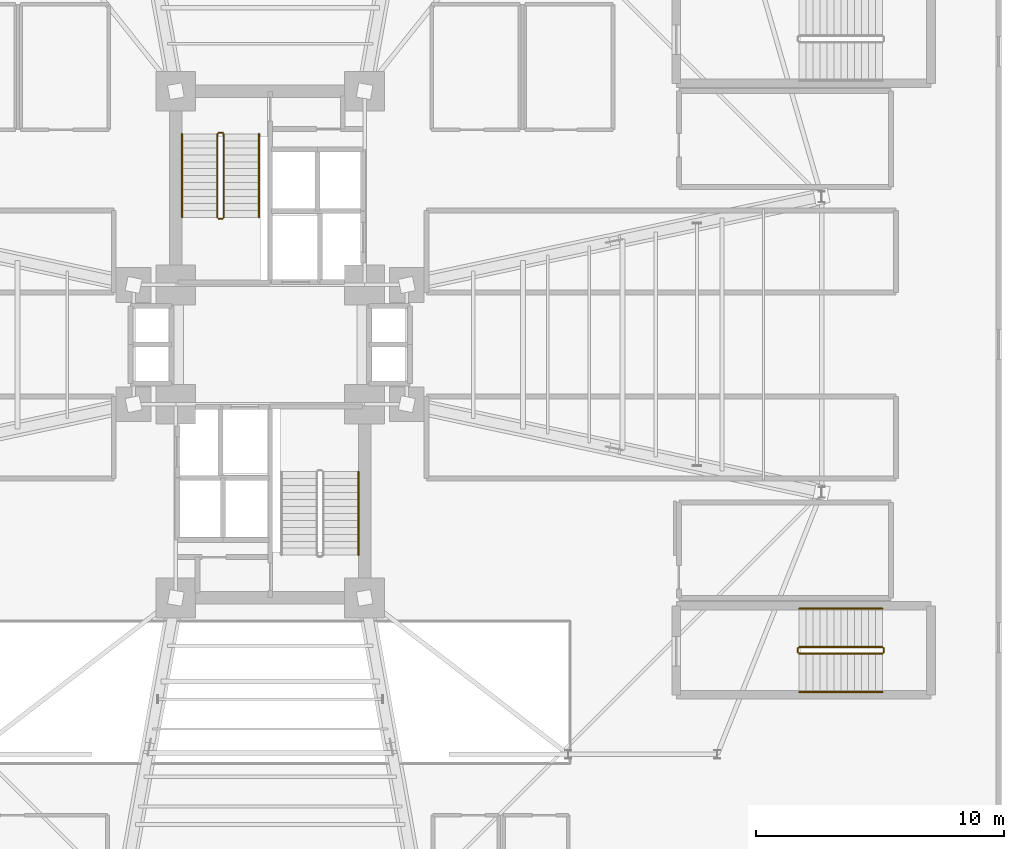
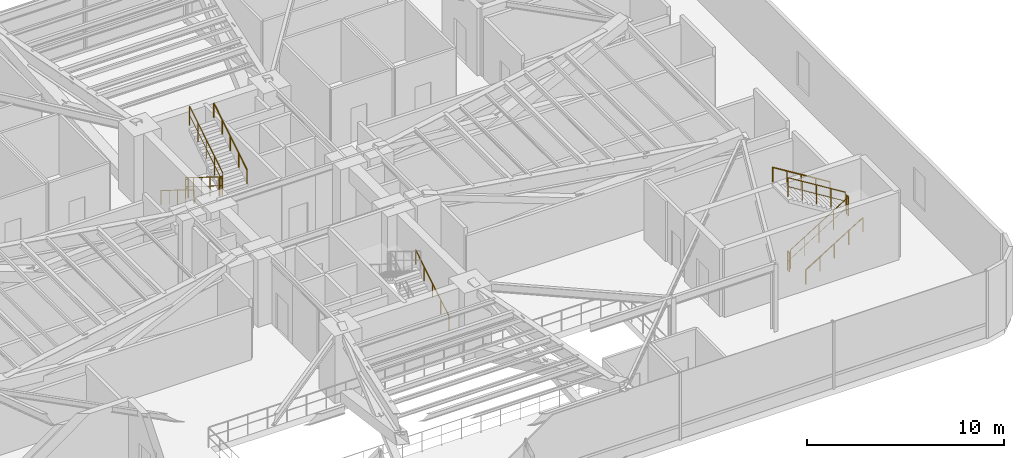
# One storey, part 30 of 32: 13 railings.
"""IFC4 building model written with IfcOpenShell, lengths in metres."""

from ifc_helpers import new_model, si_unit, direction, frame, origin, origin_2d, place, context, subcontext, project, spatial, circle, extrude, material, type_object, element, save


model = new_model("IFC4")

# Units and contexts
model_context = context("Model", 3, precision=1e-05, world=origin(), true_north=direction((0.0, 1.0)))
body_context = subcontext(model_context, "Body", "Model", "MODEL_VIEW")
ifc_project = project(units=[si_unit("LENGTHUNIT", "METRE"), si_unit("AREAUNIT", "SQUARE_METRE"), si_unit("VOLUMEUNIT", "CUBIC_METRE"), si_unit("PLANEANGLEUNIT", "RADIAN"), si_unit("MASSUNIT", "GRAM", prefix="KILO")], contexts=[model_context])

# Site, building, storey
site_placement = place(None, origin())
site = spatial("IfcSite", under=ifc_project, at=site_placement, CompositionType="ELEMENT")
building_placement = place(site_placement, origin())
building = spatial("IfcBuilding", under=site, at=building_placement, Name="Sahyath Konkavel Grand Hotel", CompositionType="ELEMENT")
storey_placement = place(building_placement, frame((0.0, 0.0, 14.10009765625)))
storey = spatial("IfcBuildingStorey", under=building, at=storey_placement, Name="L03", CompositionType="ELEMENT", Elevation=14.10009765625)

# Railings
ifc_material_1 = material(Name="Steel E350", Category="steel")
railing_type_1 = type_object("IfcRailingType", Name="RLG-STAIR-GRD", PredefinedType="GUARDRAIL", material=ifc_material_1)
railing_1_placement = place(storey_placement, frame((-2.1298828125, 8.47998046875, 0.173095703125)))
element("IfcRailing", 1, at=railing_1_placement, inside=storey, type_object=railing_type_1, Name="L03 ST-1 stair guard 1", PredefinedType="GUARDRAIL", context=body_context, shape_type="SweptSolid", body=[
    extrude(circle(Radius=0.02392578125, at=origin_2d()), frame((0.0, -0.001708984375, 1.177001953125), z_axis=(0.0, -0.850606129759, 0.525803396734), x_axis=(1.0, 0.0, 0.0)), (0.0, 0.0, 1.0), 3.946044921875),
    extrude(circle(Radius=0.01416015625, at=origin_2d()), frame((0.0, -0.001708984375, 0.625), z_axis=(0.0, -0.850606129759, 0.525803396734), x_axis=(1.0, 0.0, 0.0)), (0.0, 0.0, 1.0), 3.946044921875),
    extrude(circle(Radius=0.02099609375, at=origin_2d()), origin(), (0.0, 0.0, 1.0), 1.15185546875),
    extrude(circle(Radius=0.02099609375, at=origin_2d()), frame((0.0, -0.83984375, 0.519287109375)), (0.0, 0.0, 1.0), 1.15185546875),
    extrude(circle(Radius=0.02099609375, at=origin_2d()), frame((0.0, -1.679931640625, 1.03857421875)), (0.0, 0.0, 1.0), 1.15185546875),
    extrude(circle(Radius=0.02099609375, at=origin_2d()), frame((0.0, -2.52001953125, 1.5576171875)), (0.0, 0.0, 1.0), 1.15185546875),
    extrude(circle(Radius=0.02099609375, at=origin_2d()), frame((0.0, -3.35986328125, 2.076904296875)), (0.0, 0.0, 1.0), 1.15185546875),
])
railing_2_placement = place(storey_placement, frame((-2.080078125, 5.070068359375, 2.25)))
element("IfcRailing", 2, at=railing_2_placement, inside=storey, type_object=railing_type_1, Name="L03 ST-1 stair guard 2", PredefinedType="GUARDRAIL", context=body_context, shape_type="SweptSolid", body=[
    extrude(circle(Radius=0.02392578125, at=origin_2d()), frame((0.001953125, 0.0, 1.17578125), z_axis=(1.0, 0.0, 0.0), x_axis=(0.0, 1.0, 0.0)), (0.0, 0.0, 1.0), 0.15625),
    extrude(circle(Radius=0.01416015625, at=origin_2d()), frame((0.001953125, 0.0, 0.6240234375), z_axis=(1.0, 0.0, 0.0), x_axis=(0.0, 1.0, 0.0)), (0.0, 0.0, 1.0), 0.15625),
    extrude(circle(Radius=0.02099609375, at=origin_2d()), origin(), (0.0, 0.0, 1.0), 1.15185546875),
    extrude(circle(Radius=0.02099609375, at=origin_2d()), frame((0.16015625, 0.0, 0.0)), (0.0, 0.0, 1.0), 1.15185546875),
])
railing_3_placement = place(storey_placement, frame((-1.8701171875, 5.1201171875, 2.423095703125)))
element("IfcRailing", 3, at=railing_3_placement, inside=storey, type_object=railing_type_1, Name="L03 ST-1 stair guard 3", PredefinedType="GUARDRAIL", context=body_context, shape_type="SweptSolid", body=[
    extrude(circle(Radius=0.02392578125, at=origin_2d()), frame((0.0, 0.001708984375, 1.177001953125), z_axis=(0.0, 0.850606129759, 0.525803396734), x_axis=(-1.0, 0.0, 0.0)), (0.0, 0.0, 1.0), 3.946044921875),
    extrude(circle(Radius=0.01416015625, at=origin_2d()), frame((0.0, 0.001708984375, 0.625), z_axis=(0.0, 0.850606129759, 0.525803396734), x_axis=(-1.0, 0.0, 0.0)), (0.0, 0.0, 1.0), 3.946044921875),
    extrude(circle(Radius=0.02099609375, at=origin_2d()), origin(), (0.0, 0.0, 1.0), 1.15185546875),
    extrude(circle(Radius=0.02099609375, at=origin_2d()), frame((0.0, 0.83984375, 0.519287109375)), (0.0, 0.0, 1.0), 1.15185546875),
    extrude(circle(Radius=0.02099609375, at=origin_2d()), frame((0.0, 1.679931640625, 1.03857421875)), (0.0, 0.0, 1.0), 1.15185546875),
    extrude(circle(Radius=0.02099609375, at=origin_2d()), frame((0.0, 2.52001953125, 1.5576171875)), (0.0, 0.0, 1.0), 1.15185546875),
    extrude(circle(Radius=0.02099609375, at=origin_2d()), frame((0.0, 3.35986328125, 2.076904296875)), (0.0, 0.0, 1.0), 1.15185546875),
])
railing_4_placement = place(storey_placement, frame((-2.080078125, 8.530029296875, 0.0)))
element("IfcRailing", 4, at=railing_4_placement, inside=storey, type_object=railing_type_1, Name="L03 ST-1 stair guard 4", PredefinedType="GUARDRAIL", context=body_context, shape_type="SweptSolid", body=[
    extrude(circle(Radius=0.02392578125, at=origin_2d()), frame((0.001953125, 0.0, 1.17578125), z_axis=(1.0, 0.0, 0.0), x_axis=(0.0, 1.0, 0.0)), (0.0, 0.0, 1.0), 0.15625),
    extrude(circle(Radius=0.01416015625, at=origin_2d()), frame((0.001953125, 0.0, 0.6240234375), z_axis=(1.0, 0.0, 0.0), x_axis=(0.0, 1.0, 0.0)), (0.0, 0.0, 1.0), 0.15625),
    extrude(circle(Radius=0.02099609375, at=origin_2d()), origin(), (0.0, 0.0, 1.0), 1.15185546875),
    extrude(circle(Radius=0.02099609375, at=origin_2d()), frame((0.16015625, 0.0, 0.0)), (0.0, 0.0, 1.0), 1.15185546875),
])
railing_5_placement = place(storey_placement, frame((21.2900390625, -12.43994140625, 0.173095703125)))
element("IfcRailing", 5, at=railing_5_placement, inside=storey, type_object=railing_type_1, Name="L03 ST-P4 stair guard 1", PredefinedType="GUARDRAIL", context=body_context, shape_type="SweptSolid", body=[
    extrude(circle(Radius=0.02392578125, at=origin_2d()), frame((0.001708984375, 0.0, 1.177001953125), z_axis=(0.850606129759, 0.0, 0.525803396734), x_axis=(0.0, 1.0, 0.0)), (0.0, 0.0, 1.0), 3.946044921875),
    extrude(circle(Radius=0.01416015625, at=origin_2d()), frame((0.001708984375, 0.0, 0.625), z_axis=(0.850606129759, 0.0, 0.525803396734), x_axis=(0.0, 1.0, 0.0)), (0.0, 0.0, 1.0), 3.946044921875),
    extrude(circle(Radius=0.02099609375, at=origin_2d()), origin(), (0.0, 0.0, 1.0), 1.15185546875),
    extrude(circle(Radius=0.02099609375, at=origin_2d()), frame((0.83984375, 0.0, 0.519287109375)), (0.0, 0.0, 1.0), 1.15185546875),
    extrude(circle(Radius=0.02099609375, at=origin_2d()), frame((1.679931640625, 0.0, 1.03857421875)), (0.0, 0.0, 1.0), 1.15185546875),
    extrude(circle(Radius=0.02099609375, at=origin_2d()), frame((2.52001953125, 0.0, 1.5576171875)), (0.0, 0.0, 1.0), 1.15185546875),
    extrude(circle(Radius=0.02099609375, at=origin_2d()), frame((3.35986328125, 0.0, 2.076904296875)), (0.0, 0.0, 1.0), 1.15185546875),
])
railing_6_placement = place(storey_placement, frame((24.699951171875, -12.389892578125, 2.25)))
element("IfcRailing", 6, at=railing_6_placement, inside=storey, type_object=railing_type_1, Name="L03 ST-P4 stair guard 2", PredefinedType="GUARDRAIL", context=body_context, shape_type="SweptSolid", body=[
    extrude(circle(Radius=0.02392578125, at=origin_2d()), frame((0.0, 0.001953125, 1.17578125), z_axis=(0.0, 1.0, 0.0), x_axis=(-1.0, 0.0, 0.0)), (0.0, 0.0, 1.0), 0.156005859375),
    extrude(circle(Radius=0.01416015625, at=origin_2d()), frame((0.0, 0.001953125, 0.6240234375), z_axis=(0.0, 1.0, 0.0), x_axis=(-1.0, 0.0, 0.0)), (0.0, 0.0, 1.0), 0.156005859375),
    extrude(circle(Radius=0.02099609375, at=origin_2d()), origin(), (0.0, 0.0, 1.0), 1.15185546875),
    extrude(circle(Radius=0.02099609375, at=origin_2d()), frame((0.0, 0.159912109375, 0.0)), (0.0, 0.0, 1.0), 1.15185546875),
])
railing_7_placement = place(storey_placement, frame((24.64990234375, -12.179931640625, 2.423095703125)))
element("IfcRailing", 7, at=railing_7_placement, inside=storey, type_object=railing_type_1, Name="L03 ST-P4 stair guard 3", PredefinedType="GUARDRAIL", context=body_context, shape_type="SweptSolid", body=[
    extrude(circle(Radius=0.02392578125, at=origin_2d()), frame((-0.001708984375, 0.0, 1.177001953125), z_axis=(-0.850606129759, 0.0, 0.525803396734), x_axis=(0.0, -1.0, 0.0)), (0.0, 0.0, 1.0), 3.946044921875),
    extrude(circle(Radius=0.01416015625, at=origin_2d()), frame((-0.001708984375, 0.0, 0.625), z_axis=(-0.850606129759, 0.0, 0.525803396734), x_axis=(0.0, -1.0, 0.0)), (0.0, 0.0, 1.0), 3.946044921875),
    extrude(circle(Radius=0.02099609375, at=origin_2d()), origin(), (0.0, 0.0, 1.0), 1.15185546875),
    extrude(circle(Radius=0.02099609375, at=origin_2d()), frame((-0.83984375, 0.0, 0.519287109375)), (0.0, 0.0, 1.0), 1.15185546875),
    extrude(circle(Radius=0.02099609375, at=origin_2d()), frame((-1.679931640625, 0.0, 1.03857421875)), (0.0, 0.0, 1.0), 1.15185546875),
    extrude(circle(Radius=0.02099609375, at=origin_2d()), frame((-2.52001953125, 0.0, 1.5576171875)), (0.0, 0.0, 1.0), 1.15185546875),
    extrude(circle(Radius=0.02099609375, at=origin_2d()), frame((-3.35986328125, 0.0, 2.076904296875)), (0.0, 0.0, 1.0), 1.15185546875),
])
railing_8_placement = place(storey_placement, frame((21.239990234375, -12.389892578125, 0.0)))
element("IfcRailing", 8, at=railing_8_placement, inside=storey, type_object=railing_type_1, Name="L03 ST-P4 stair guard 4", PredefinedType="GUARDRAIL", context=body_context, shape_type="SweptSolid", body=[
    extrude(circle(Radius=0.02392578125, at=origin_2d()), frame((0.0, 0.001953125, 1.17578125), z_axis=(0.0, 1.0, 0.0), x_axis=(-1.0, 0.0, 0.0)), (0.0, 0.0, 1.0), 0.156005859375),
    extrude(circle(Radius=0.01416015625, at=origin_2d()), frame((0.0, 0.001953125, 0.6240234375), z_axis=(0.0, 1.0, 0.0), x_axis=(-1.0, 0.0, 0.0)), (0.0, 0.0, 1.0), 0.156005859375),
    extrude(circle(Radius=0.02099609375, at=origin_2d()), origin(), (0.0, 0.0, 1.0), 1.15185546875),
    extrude(circle(Radius=0.02099609375, at=origin_2d()), frame((0.0, 0.159912109375, 0.0)), (0.0, 0.0, 1.0), 1.15185546875),
])
ifc_material_2 = material(Name="Anodised Bronze Aluminium", Category="aluminium")
railing_type_2 = type_object("IfcRailingType", Name="RLG-STAIR-HND", PredefinedType="HANDRAIL", material=ifc_material_2)
railing_9_placement = place(storey_placement, frame((-3.550048828125, 8.47998046875, 0.173095703125)))
element("IfcRailing", 9, at=railing_9_placement, inside=storey, type_object=railing_type_2, Name="L03 ST-1 stair handrail 1", PredefinedType="HANDRAIL", context=body_context, shape_type="SweptSolid", body=[
    extrude(circle(Radius=0.02392578125, at=origin_2d()), frame((0.0, -0.001708984375, 0.876953125), z_axis=(0.0, -0.850606129759, 0.525803396734), x_axis=(1.0, 0.0, 0.0)), (0.0, 0.0, 1.0), 3.946044921875),
    extrude(circle(Radius=0.02099609375, at=origin_2d()), origin(), (0.0, 0.0, 1.0), 0.851806640625),
    extrude(circle(Radius=0.02099609375, at=origin_2d()), frame((0.0, -0.83984375, 0.519287109375)), (0.0, 0.0, 1.0), 0.851806640625),
    extrude(circle(Radius=0.02099609375, at=origin_2d()), frame((0.0, -1.679931640625, 1.03857421875)), (0.0, 0.0, 1.0), 0.851806640625),
    extrude(circle(Radius=0.02099609375, at=origin_2d()), frame((0.0, -2.52001953125, 1.5576171875)), (0.0, 0.0, 1.0), 0.851806640625),
    extrude(circle(Radius=0.02099609375, at=origin_2d()), frame((0.0, -3.35986328125, 2.076904296875)), (0.0, 0.0, 1.0), 0.851806640625),
])
for number, where, name in (
    (10, (-0.449951171875, 5.1201171875, 2.423095703125), "L03 ST-1 stair handrail 2"),
    (11, (3.550048828125, -8.47998046875, 0.173095703125), "L03 ST-2 stair handrail 1"),
):
    element("IfcRailing", number, at=place(storey_placement, frame(where)), inside=storey, type_object=railing_type_2, Name=name, PredefinedType="HANDRAIL", context=body_context, shape_type="SweptSolid", body=[
        extrude(circle(Radius=0.02392578125, at=origin_2d()), frame((0.0, 0.001708984375, 0.876953125), z_axis=(0.0, 0.850606129759, 0.525803396734), x_axis=(-1.0, 0.0, 0.0)), (0.0, 0.0, 1.0), 3.946044921875),
        extrude(circle(Radius=0.02099609375, at=origin_2d()), origin(), (0.0, 0.0, 1.0), 0.851806640625),
        extrude(circle(Radius=0.02099609375, at=origin_2d()), frame((0.0, 0.83984375, 0.519287109375)), (0.0, 0.0, 1.0), 0.851806640625),
        extrude(circle(Radius=0.02099609375, at=origin_2d()), frame((0.0, 1.679931640625, 1.03857421875)), (0.0, 0.0, 1.0), 0.851806640625),
        extrude(circle(Radius=0.02099609375, at=origin_2d()), frame((0.0, 2.52001953125, 1.5576171875)), (0.0, 0.0, 1.0), 0.851806640625),
        extrude(circle(Radius=0.02099609375, at=origin_2d()), frame((0.0, 3.35986328125, 2.076904296875)), (0.0, 0.0, 1.0), 0.851806640625),
    ])
railing_10_placement = place(storey_placement, frame((21.2900390625, -13.989990234375, 0.173095703125)))
element("IfcRailing", 12, at=railing_10_placement, inside=storey, type_object=railing_type_2, Name="L03 ST-P4 stair handrail 1", PredefinedType="HANDRAIL", context=body_context, shape_type="SweptSolid", body=[
    extrude(circle(Radius=0.02392578125, at=origin_2d()), frame((0.001708984375, 0.0, 0.876953125), z_axis=(0.850606129759, 0.0, 0.525803396734), x_axis=(0.0, 1.0, 0.0)), (0.0, 0.0, 1.0), 3.946044921875),
    extrude(circle(Radius=0.02099609375, at=origin_2d()), origin(), (0.0, 0.0, 1.0), 0.851806640625),
    extrude(circle(Radius=0.02099609375, at=origin_2d()), frame((0.83984375, 0.0, 0.519287109375)), (0.0, 0.0, 1.0), 0.851806640625),
    extrude(circle(Radius=0.02099609375, at=origin_2d()), frame((1.679931640625, 0.0, 1.03857421875)), (0.0, 0.0, 1.0), 0.851806640625),
    extrude(circle(Radius=0.02099609375, at=origin_2d()), frame((2.52001953125, 0.0, 1.5576171875)), (0.0, 0.0, 1.0), 0.851806640625),
    extrude(circle(Radius=0.02099609375, at=origin_2d()), frame((3.35986328125, 0.0, 2.076904296875)), (0.0, 0.0, 1.0), 0.851806640625),
])
railing_11_placement = place(storey_placement, frame((24.64990234375, -10.6298828125, 2.423095703125)))
element("IfcRailing", 13, at=railing_11_placement, inside=storey, type_object=railing_type_2, Name="L03 ST-P4 stair handrail 2", PredefinedType="HANDRAIL", context=body_context, shape_type="SweptSolid", body=[
    extrude(circle(Radius=0.02392578125, at=origin_2d()), frame((-0.001708984375, 0.0, 0.876953125), z_axis=(-0.850606129759, 0.0, 0.525803396734), x_axis=(0.0, -1.0, 0.0)), (0.0, 0.0, 1.0), 3.946044921875),
    extrude(circle(Radius=0.02099609375, at=origin_2d()), origin(), (0.0, 0.0, 1.0), 0.851806640625),
    extrude(circle(Radius=0.02099609375, at=origin_2d()), frame((-0.83984375, 0.0, 0.519287109375)), (0.0, 0.0, 1.0), 0.851806640625),
    extrude(circle(Radius=0.02099609375, at=origin_2d()), frame((-1.679931640625, 0.0, 1.03857421875)), (0.0, 0.0, 1.0), 0.851806640625),
    extrude(circle(Radius=0.02099609375, at=origin_2d()), frame((-2.52001953125, 0.0, 1.5576171875)), (0.0, 0.0, 1.0), 0.851806640625),
    extrude(circle(Radius=0.02099609375, at=origin_2d()), frame((-3.35986328125, 0.0, 2.076904296875)), (0.0, 0.0, 1.0), 0.851806640625),
])

save(model, "model.ifc")
